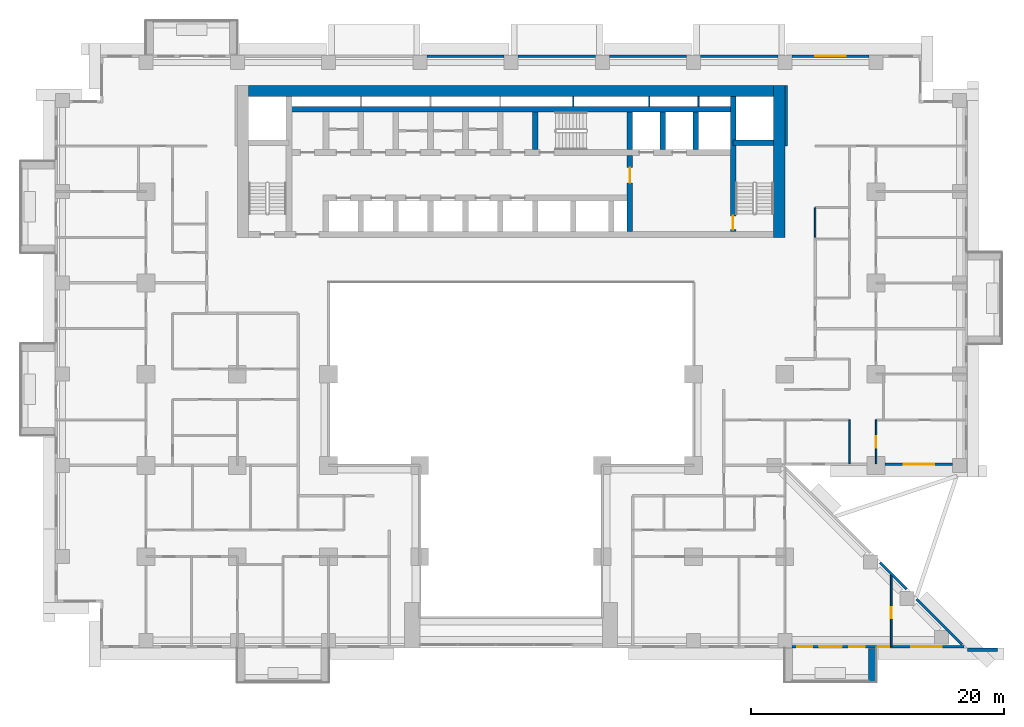
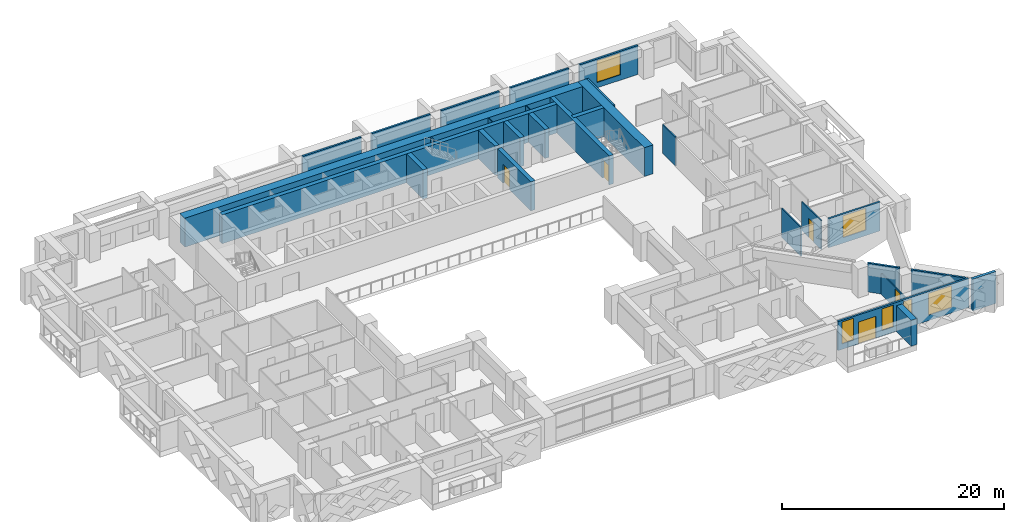
# One storey, part 11 of 17: 29 walls, 6 windows, 5 doors, 11 openings.
"""IFC4 building model written with IfcOpenShell, lengths in metres."""

from ifc_helpers import new_model, si_unit, direction, frame, frame_2d, origin, place, context, subcontext, project, spatial, rectangle, extrude, material, layer, layer_set, type_object, element, fill, save


model = new_model("IFC4")

# Units and contexts
model_context = context("Model", 3, precision=1e-05, world=origin(), true_north=direction((0.0, 1.0)))
body_context = subcontext(model_context, "Body", "Model", "MODEL_VIEW")
ifc_project = project(units=[si_unit("LENGTHUNIT", "METRE"), si_unit("AREAUNIT", "SQUARE_METRE"), si_unit("VOLUMEUNIT", "CUBIC_METRE"), si_unit("PLANEANGLEUNIT", "RADIAN"), si_unit("MASSUNIT", "GRAM", prefix="KILO")], contexts=[model_context])

# Site, building, storey
site_placement = place(None, origin())
site = spatial("IfcSite", under=ifc_project, at=site_placement, CompositionType="ELEMENT")
building_placement = place(site_placement, origin())
building = spatial("IfcBuilding", under=site, at=building_placement, Name="Saffron Iwan Residences", CompositionType="ELEMENT")
storey_placement = place(building_placement, frame((0.0, 0.0, 34.0)))
storey = spatial("IfcBuildingStorey", under=building, at=storey_placement, Name="L07", CompositionType="ELEMENT", Elevation=34.0)

# Walls
ifc_material_1 = material(Name="Concrete C50/60 white painted", Category="concrete")
ifc_layer_1 = layer(ifc_material_1, 0.60009765625)
ifc_layer_set_1 = layer_set([ifc_layer_1], Name="Concrete C50/60 white painted")
wall_type_1 = type_object("IfcWallType", Name="BALCONY FIN 600", PredefinedType="SOLIDWALL", material=ifc_layer_set_1)
wall_1_placement = place(storey_placement, frame((78.89990234375, 33.550048828125, 0.0), z_axis=(0.0, 0.0, 1.0), x_axis=(0.0, -1.0, 0.0)))
element("IfcWall", 1, at=wall_1_placement, inside=storey, type_object=wall_type_1, Name="Balcony fin L07 11-1b", PredefinedType="SOLIDWALL", context=body_context, shape_type="SweptSolid", body=[
    extrude(rectangle(XDim=2.650146484375, YDim=0.60009765625, at=frame_2d((1.3251953125, 0.0))), origin(), (0.0, 0.0, 1.0), 2.85009765625),
])
ifc_material_2 = material(Name="Concrete C40/50", Category="concrete")
ifc_layer_2 = layer(ifc_material_2, 0.199951171875)
ifc_layer_set_2 = layer_set([ifc_layer_2], Name="Concrete C40/50")
wall_type_2 = type_object("IfcWallType", Name="EXTERNAL WALL 200", PredefinedType="SOLIDWALL", material=ifc_layer_set_2)
wall_2_placement = place(storey_placement, frame((85.995849609375, 33.862548828125, 0.0), z_axis=(0.0, 0.0, 1.0), x_axis=(-0.7070827891, 0.707130772459, 0.0)))
element("IfcWall", 2, at=wall_2_placement, inside=storey, type_object=wall_type_2, Name="External wall L07 F0.0", PredefinedType="SOLIDWALL", context=body_context, shape_type="SweptSolid", body=[
    extrude(rectangle(XDim=5.088134765625, YDim=0.199951171875, at=frame_2d((2.5439453125, 0.0))), origin(), (0.0, 0.0, 1.0), 3.179931640625),
])
wall_3_placement = place(storey_placement, frame((81.620361328125, 38.23828125, 0.0), z_axis=(0.0, 0.0, 1.0), x_axis=(-0.707106781187, 0.707106781187, 0.0)))
element("IfcWall", 3, at=wall_3_placement, inside=storey, type_object=wall_type_2, Name="External wall L07 F0.1", PredefinedType="SOLIDWALL", context=body_context, shape_type="SweptSolid", body=[
    extrude(rectangle(XDim=2.97265625, YDim=0.199951171875, at=frame_2d((1.486328125, 0.0))), origin(), (0.0, 0.0, 1.0), 3.179931640625),
])

# Wall, opening, window
wall_4_placement = place(storey_placement, frame((79.89990234375, 48.10009765625, 0.0), z_axis=(0.0, 0.0, 1.0), x_axis=(1.0, 0.0, 0.0)))
wall_4 = element("IfcWall", 4, at=wall_4_placement, inside=storey, type_object=wall_type_2, Name="External wall L07 F1.1", PredefinedType="SOLIDWALL", context=body_context, shape_type="SweptSolid", body=[
    extrude(rectangle(XDim=5.35009765625, YDim=0.199951171875, at=frame_2d((2.675048828125, 0.0))), origin(), (0.0, 0.0, 1.0), 3.179931640625),
])
opening_1_placement = place(wall_4_placement, frame((1.47509765625, 0.0, 0.60009765625)))
opening_1 = element("IfcOpeningElement", 5, at=opening_1_placement, cuts=wall_4, Name="Opening W1", PredefinedType="OPENING", context=body_context, shape_type="SweptSolid", body=[
    extrude(rectangle(XDim=2.39990234375, YDim=2.39990234375, at=frame_2d((1.199951171875, 1.199951171875))), frame((0.0, 0.10986328125, 0.0), z_axis=(0.0, -1.0, 0.0), x_axis=(1.0, 0.0, 0.0)), (0.0, 0.0, 1.0), 0.219970703125),
])
ifc_material_3 = material(Name="Clear glass, laminated double glazed", Category="glass")
window_type_1 = type_object("IfcWindowType", Name="WINDOW 2400 x 2400", PartitioningType="DOUBLE_PANEL_VERTICAL", PredefinedType="WINDOW", material=ifc_material_3)
window_1_placement = place(opening_1_placement, origin())
window_1 = element("IfcWindow", 6, at=window_1_placement, inside=storey, type_object=window_type_1, Name="Window L07 F1.0", OverallHeight=2.39990234375, OverallWidth=2.39990234375, PartitioningType="DOUBLE_PANEL_VERTICAL", PredefinedType="WINDOW", context=body_context, shape_type="SweptSolid", body=[
    extrude(rectangle(XDim=2.39990234375, YDim=2.39990234375, at=frame_2d((1.199951171875, 1.199951171875))), frame((0.0, 0.030029296875, 0.0), z_axis=(0.0, -1.0, 0.0), x_axis=(1.0, 0.0, 0.0)), (0.0, 0.0, 1.0), 0.06005859375),
])
fill(opening_1, window_1)

wall_5_placement = place(storey_placement, frame((78.64990234375, 80.300048828125, 0.0), z_axis=(0.0, 0.0, 1.0), x_axis=(-1.0, 0.0, 0.0)))
wall_5 = element("IfcWall", 7, at=wall_5_placement, inside=storey, type_object=wall_type_2, Name="External wall L07 F5.1", PredefinedType="SOLIDWALL", context=body_context, shape_type="SweptSolid", body=[
    extrude(rectangle(XDim=6.099853515625, YDim=0.199951171875, at=frame_2d((3.0498046875, 0.0))), origin(), (0.0, 0.0, 1.0), 3.179931640625),
])
opening_2_placement = place(wall_5_placement, frame((1.85009765625, 0.0, 0.60009765625)))
opening_2 = element("IfcOpeningElement", 8, at=opening_2_placement, cuts=wall_5, Name="Opening W1", PredefinedType="OPENING", context=body_context, shape_type="SweptSolid", body=[
    extrude(rectangle(XDim=2.39990234375, YDim=2.39990234375, at=frame_2d((1.199951171875, 1.199951171875))), frame((0.0, 0.10986328125, 0.0), z_axis=(0.0, -1.0, 0.0), x_axis=(1.0, 0.0, 0.0)), (0.0, 0.0, 1.0), 0.219970703125),
])
window_2_placement = place(opening_2_placement, origin())
window_2 = element("IfcWindow", 9, at=window_2_placement, inside=storey, type_object=window_type_1, Name="Window L07 F5.0", OverallHeight=2.39990234375, OverallWidth=2.39990234375, PartitioningType="DOUBLE_PANEL_VERTICAL", PredefinedType="WINDOW", context=body_context, shape_type="SweptSolid", body=[
    extrude(rectangle(XDim=2.39990234375, YDim=2.39990234375, at=frame_2d((1.199951171875, 1.199951171875))), frame((0.0, 0.030029296875, 0.0), z_axis=(0.0, -1.0, 0.0), x_axis=(1.0, 0.0, 0.0)), (0.0, 0.0, 1.0), 0.06005859375),
])
fill(opening_2, window_2)

# Walls
wall_6_placement = place(storey_placement, frame((71.449951171875, 80.300048828125, 0.0), z_axis=(0.0, 0.0, 1.0), x_axis=(-1.0, 0.0, 0.0)))
element("IfcWall", 10, at=wall_6_placement, inside=storey, type_object=wall_type_2, Name="External wall L07 F5.2", PredefinedType="SOLIDWALL", context=body_context, shape_type="SweptSolid", body=[
    extrude(rectangle(XDim=6.099853515625, YDim=0.199951171875, at=frame_2d((3.0498046875, 0.0))), origin(), (0.0, 0.0, 1.0), 3.179931640625),
])
for number, where, z_axis, x_axis, name in (
    (11, (64.25, 80.300048828125, 0.0), (0.0, 0.0, 1.0), (-1.0, 0.0, 0.0), "External wall L07 F5.3"),
    (12, (57.050048828125, 80.300048828125, 0.0), (0.0, 0.0, 1.0), (-1.0, 0.0, 0.0), "External wall L07 F5.4"),
    (13, (49.85009765625, 80.300048828125, 0.0), (0.0, 0.0, 1.0), (-1.0, 0.0, 0.0), "External wall L07 F5.5"),
):
    element("IfcWall", number, at=place(storey_placement, frame(where, z_axis=z_axis, x_axis=x_axis)), inside=storey, type_object=wall_type_2, Name=name, PredefinedType="SOLIDWALL", context=body_context, shape_type="SweptSolid", body=[
        extrude(rectangle(XDim=6.10009765625, YDim=0.199951171875, at=frame_2d((3.050048828125, 0.0))), origin(), (0.0, 0.0, 1.0), 3.179931640625),
    ])

# Wall, openings, door, windows
wall_7_placement = place(storey_placement, frame((72.550048828125, 33.699951171875, 0.0), z_axis=(0.0, 0.0, 1.0), x_axis=(1.0, 0.0, 0.0)))
wall_7 = element("IfcWall", 14, at=wall_7_placement, inside=storey, type_object=wall_type_2, Name="External wall L07 F11.6", PredefinedType="SOLIDWALL", context=body_context, shape_type="SweptSolid", body=[
    extrude(rectangle(XDim=13.608642578125, YDim=0.199951171875, at=frame_2d((6.80419921875, 0.0))), origin(), (0.0, 0.0, 1.0), 3.179931640625),
])
opening_3_placement = place(wall_7_placement, frame((2.14990234375, 0.0, 0.0)))
opening_3 = element("IfcOpeningElement", 15, at=opening_3_placement, cuts=wall_7, Name="Opening BD1", PredefinedType="OPENING", context=body_context, shape_type="SweptSolid", body=[
    extrude(rectangle(XDim=1.800048828125, YDim=2.39990234375, at=frame_2d((0.89990234375, 1.199951171875))), frame((0.0, 0.10986328125, 0.0), z_axis=(0.0, -1.0, 0.0), x_axis=(1.0, 0.0, 0.0)), (0.0, 0.0, 1.0), 0.219970703125),
])
opening_4_placement = place(wall_7_placement, frame((0.425048828125, 0.0, 0.60009765625)))
opening_4 = element("IfcOpeningElement", 16, at=opening_4_placement, cuts=wall_7, Name="Opening W3", PredefinedType="OPENING", context=body_context, shape_type="SweptSolid", body=[
    extrude(rectangle(XDim=1.199951171875, YDim=2.39990234375, at=frame_2d((0.60009765625, 1.199951171875))), frame((0.0, 0.10986328125, 0.0), z_axis=(0.0, -1.0, 0.0), x_axis=(1.0, 0.0, 0.0)), (0.0, 0.0, 1.0), 0.219970703125),
])
opening_5_placement = place(wall_7_placement, frame((4.550048828125, 0.0, 0.60009765625)))
opening_5 = element("IfcOpeningElement", 17, at=opening_5_placement, cuts=wall_7, Name="Opening W3", PredefinedType="OPENING", context=body_context, shape_type="SweptSolid", body=[
    extrude(rectangle(XDim=1.199951171875, YDim=2.39990234375, at=frame_2d((0.60009765625, 1.199951171875))), frame((0.0, 0.10986328125, 0.0), z_axis=(0.0, -1.0, 0.0), x_axis=(1.0, 0.0, 0.0)), (0.0, 0.0, 1.0), 0.219970703125),
])
opening_6_placement = place(wall_7_placement, frame((6.800048828125, 0.0, 0.60009765625)))
opening_6 = element("IfcOpeningElement", 18, at=opening_6_placement, cuts=wall_7, Name="Opening W10", PredefinedType="OPENING", context=body_context, shape_type="SweptSolid", body=[
    extrude(rectangle(XDim=0.89990234375, YDim=2.39990234375, at=frame_2d((0.449951171875, 1.199951171875))), frame((0.0, 0.10986328125, 0.0), z_axis=(0.0, -1.0, 0.0), x_axis=(1.0, 0.0, 0.0)), (0.0, 0.0, 1.0), 0.219970703125),
])
opening_7_placement = place(wall_7_placement, frame((9.42919921875, 0.0, 0.60009765625)))
opening_7 = element("IfcOpeningElement", 19, at=opening_7_placement, cuts=wall_7, Name="Opening W1", PredefinedType="OPENING", context=body_context, shape_type="SweptSolid", body=[
    extrude(rectangle(XDim=2.39990234375, YDim=2.39990234375, at=frame_2d((1.199951171875, 1.199951171875))), frame((0.0, 0.10986328125, 0.0), z_axis=(0.0, -1.0, 0.0), x_axis=(1.0, 0.0, 0.0)), (0.0, 0.0, 1.0), 0.219970703125),
])
door_type_1 = type_object("IfcDoorType", Name="BALCONY DOOR 1800 x 2400", OperationType="DOUBLE_DOOR_SLIDING", PredefinedType="DOOR", material=ifc_material_3)
door_1_placement = place(opening_3_placement, origin())
door_1 = element("IfcDoor", 20, at=door_1_placement, inside=storey, type_object=door_type_1, Name="Balcony door L07 F11.0", OperationType="DOUBLE_DOOR_SLIDING", OverallHeight=2.39990234375, OverallWidth=1.800048828125, PredefinedType="DOOR", context=body_context, shape_type="SweptSolid", body=[
    extrude(rectangle(XDim=1.800048828125, YDim=2.39990234375, at=frame_2d((0.89990234375, 1.199951171875))), frame((0.0, 0.02490234375, 0.0), z_axis=(0.0, -1.0, 0.0), x_axis=(1.0, 0.0, 0.0)), (0.0, 0.0, 1.0), 0.050048828125),
])
fill(opening_3, door_1)
window_type_2 = type_object("IfcWindowType", Name="WINDOW 1200 x 2400", PartitioningType="SINGLE_PANEL", PredefinedType="WINDOW", material=ifc_material_3)
window_3_placement = place(opening_4_placement, origin())
window_3 = element("IfcWindow", 21, at=window_3_placement, inside=storey, type_object=window_type_2, Name="Window L07 F11.1", OverallHeight=2.39990234375, OverallWidth=1.199951171875, PartitioningType="SINGLE_PANEL", PredefinedType="WINDOW", context=body_context, shape_type="SweptSolid", body=[
    extrude(rectangle(XDim=1.199951171875, YDim=2.39990234375, at=frame_2d((0.60009765625, 1.199951171875))), frame((0.0, 0.030029296875, 0.0), z_axis=(0.0, -1.0, 0.0), x_axis=(1.0, 0.0, 0.0)), (0.0, 0.0, 1.0), 0.06005859375),
])
fill(opening_4, window_3)
window_4_placement = place(opening_5_placement, origin())
window_4 = element("IfcWindow", 22, at=window_4_placement, inside=storey, type_object=window_type_2, Name="Window L07 F11.2", OverallHeight=2.39990234375, OverallWidth=1.199951171875, PartitioningType="SINGLE_PANEL", PredefinedType="WINDOW", context=body_context, shape_type="SweptSolid", body=[
    extrude(rectangle(XDim=1.199951171875, YDim=2.39990234375, at=frame_2d((0.60009765625, 1.199951171875))), frame((0.0, 0.030029296875, 0.0), z_axis=(0.0, -1.0, 0.0), x_axis=(1.0, 0.0, 0.0)), (0.0, 0.0, 1.0), 0.06005859375),
])
fill(opening_5, window_4)
window_5_placement = place(opening_7_placement, origin())
window_5 = element("IfcWindow", 23, at=window_5_placement, inside=storey, type_object=window_type_1, Name="Window L07 F11.4", OverallHeight=2.39990234375, OverallWidth=2.39990234375, PartitioningType="DOUBLE_PANEL_VERTICAL", PredefinedType="WINDOW", context=body_context, shape_type="SweptSolid", body=[
    extrude(rectangle(XDim=2.39990234375, YDim=2.39990234375, at=frame_2d((1.199951171875, 1.199951171875))), frame((0.0, 0.030029296875, 0.0), z_axis=(0.0, -1.0, 0.0), x_axis=(1.0, 0.0, 0.0)), (0.0, 0.0, 1.0), 0.06005859375),
])
fill(opening_7, window_5)
window_type_3 = type_object("IfcWindowType", Name="WINDOW 900 x 2400", PartitioningType="SINGLE_PANEL", PredefinedType="WINDOW", material=ifc_material_3)
window_6_placement = place(opening_6_placement, origin())
window_6 = element("IfcWindow", 24, at=window_6_placement, inside=storey, type_object=window_type_3, Name="Window L07 F11.3", OverallHeight=2.39990234375, OverallWidth=0.89990234375, PartitioningType="SINGLE_PANEL", PredefinedType="WINDOW", context=body_context, shape_type="SweptSolid", body=[
    extrude(rectangle(XDim=0.89990234375, YDim=2.39990234375, at=frame_2d((0.449951171875, 1.199951171875))), frame((0.0, 0.030029296875, 0.0), z_axis=(0.0, -1.0, 0.0), x_axis=(1.0, 0.0, 0.0)), (0.0, 0.0, 1.0), 0.06005859375),
])
fill(opening_6, window_6)

# Walls
ifc_material_4 = material(Name="Gypsum board partition")
ifc_layer_3 = layer(ifc_material_4, 0.1201171875)
ifc_layer_set_3 = layer_set([ifc_layer_3], Name="Gypsum board partition")
wall_type_3 = type_object("IfcWallType", Name="Flat partition 120", PredefinedType="PARTITIONING", material=ifc_layer_set_3)
wall_8_placement = place(storey_placement, frame((74.39990234375, 66.02001953125, 0.0), z_axis=(0.0, 0.0, 1.0), x_axis=(0.0, 1.0, 0.0)))
element("IfcWall", 25, at=wall_8_placement, inside=storey, type_object=wall_type_3, Name="W-L07-PART-v74.4-66.02", PredefinedType="PARTITIONING", context=body_context, shape_type="SweptSolid", body=[
    extrude(rectangle(XDim=2.330078125, YDim=0.1201171875, at=frame_2d((1.1650390625, 0.0))), origin(), (0.0, 0.0, 1.0), 3.179931640625),
])
wall_9_placement = place(storey_placement, frame((77.10009765625, 48.125, 0.0), z_axis=(0.0, 0.0, 1.0), x_axis=(0.0, 1.0, 0.0)))
element("IfcWall", 26, at=wall_9_placement, inside=storey, type_object=wall_type_3, Name="W-L07-PART-v77.1-48.125", PredefinedType="PARTITIONING", context=body_context, shape_type="SweptSolid", body=[
    extrude(rectangle(XDim=3.47509765625, YDim=0.1201171875, at=frame_2d((1.737548828125, 0.0))), origin(), (0.0, 0.0, 1.0), 3.179931640625),
])

# Wall, opening, door
wall_10_placement = place(storey_placement, frame((79.199951171875, 48.125, 0.0), z_axis=(0.0, 0.0, 1.0), x_axis=(0.0, 1.0, 0.0)))
wall_10 = element("IfcWall", 27, at=wall_10_placement, inside=storey, type_object=wall_type_3, Name="W-L07-PART-v79.2-48.125", PredefinedType="PARTITIONING", context=body_context, shape_type="SweptSolid", body=[
    extrude(rectangle(XDim=3.47509765625, YDim=0.1201171875, at=frame_2d((1.737548828125, 0.0))), origin(), (0.0, 0.0, 1.0), 3.179931640625),
])
opening_8_placement = place(wall_10_placement, frame((1.28759765625, 0.0, 0.0)))
opening_8 = element("IfcOpeningElement", 28, at=opening_8_placement, cuts=wall_10, Name="Opening FD2", PredefinedType="OPENING", context=body_context, shape_type="SweptSolid", body=[
    extrude(rectangle(XDim=0.89990234375, YDim=2.10009765625, at=frame_2d((0.449951171875, 1.050048828125))), frame((0.0, 0.070068359375, 0.0), z_axis=(0.0, -1.0, 0.0), x_axis=(1.0, 0.0, 0.0)), (0.0, 0.0, 1.0), 0.14013671875),
])
ifc_material_5 = material(Name="Timber door", Category="wood")
door_type_2 = type_object("IfcDoorType", Name="Flat door 900", OperationType="NOTDEFINED", PredefinedType="DOOR", material=ifc_material_5)
door_2_placement = place(opening_8_placement, origin())
door_2 = element("IfcDoor", 29, at=door_2_placement, inside=storey, type_object=door_type_2, Name="Door L07-022", OperationType="SINGLE_SWING_LEFT", OverallHeight=2.10009765625, OverallWidth=0.89990234375, PredefinedType="DOOR", context=body_context, shape_type="SweptSolid", body=[
    extrude(rectangle(XDim=0.89990234375, YDim=2.10009765625, at=frame_2d((0.449951171875, 1.050048828125))), frame((0.0, 0.02490234375, 0.0), z_axis=(0.0, -1.0, 0.0), x_axis=(1.0, 0.0, 0.0)), (0.0, 0.0, 1.0), 0.050048828125),
])
fill(opening_8, door_2)

wall_11_placement = place(storey_placement, frame((80.39990234375, 33.72509765625, 0.0), z_axis=(0.0, 0.0, 1.0), x_axis=(0.0, 1.0, 0.0)))
wall_11 = element("IfcWall", 30, at=wall_11_placement, inside=storey, type_object=wall_type_3, Name="W-L07-PART-v80.4-33.725", PredefinedType="PARTITIONING", context=body_context, shape_type="SweptSolid", body=[
    extrude(rectangle(XDim=5.697998046875, YDim=0.1201171875, at=frame_2d((2.84912109375, 0.0))), origin(), (0.0, 0.0, 1.0), 2.280029296875),
])
opening_9_placement = place(wall_11_placement, frame((2.198974609375, 0.0, 0.0)))
opening_9 = element("IfcOpeningElement", 31, at=opening_9_placement, cuts=wall_11, Name="Opening FD2", PredefinedType="OPENING", context=body_context, shape_type="SweptSolid", body=[
    extrude(rectangle(XDim=0.89990234375, YDim=2.10009765625, at=frame_2d((0.449951171875, 1.050048828125))), frame((0.0, 0.070068359375, 0.0), z_axis=(0.0, -1.0, 0.0), x_axis=(1.0, 0.0, 0.0)), (0.0, 0.0, 1.0), 0.14013671875),
])
door_3_placement = place(opening_9_placement, origin())
door_3 = element("IfcDoor", 32, at=door_3_placement, inside=storey, type_object=door_type_2, Name="Door L07-052", OperationType="SINGLE_SWING_RIGHT", OverallHeight=2.10009765625, OverallWidth=0.89990234375, PredefinedType="DOOR", context=body_context, shape_type="SweptSolid", body=[
    extrude(rectangle(XDim=0.89990234375, YDim=2.10009765625, at=frame_2d((0.449951171875, 1.050048828125))), frame((0.0, 0.02490234375, 0.0), z_axis=(0.0, -1.0, 0.0), x_axis=(1.0, 0.0, 0.0)), (0.0, 0.0, 1.0), 0.050048828125),
])
fill(opening_9, door_3)

# Walls
ifc_material_6 = material(Name="Fire-rated gypsum board wall")
ifc_layer_4 = layer(ifc_material_6, 0.199951171875)
ifc_layer_set_4 = layer_set([ifc_layer_4], Name="Fire-rated gypsum board wall")
wall_type_4 = type_object("IfcWallType", Name="Gallery wall 200", PredefinedType="SOLIDWALL", material=ifc_layer_set_4)
wall_12_placement = place(storey_placement, frame((72.10009765625, 73.199951171875, 0.0), z_axis=(0.0, 0.0, 1.0), x_axis=(0.0, 1.0, 0.0)))
element("IfcWall", 33, at=wall_12_placement, inside=storey, type_object=wall_type_4, Name="W-L07-CORR-v72-73.2", PredefinedType="SOLIDWALL", context=body_context, shape_type="SweptSolid", body=[
    extrude(rectangle(XDim=4.800048828125, YDim=0.199951171875, at=frame_2d((2.39990234375, 0.0))), origin(), (0.0, 0.0, 1.0), 3.179931640625),
])
ifc_layer_5 = layer(ifc_material_1, 0.300048828125)
ifc_layer_set_5 = layer_set([ifc_layer_5], Name="Concrete C50/60 white painted")
wall_type_5 = type_object("IfcWallType", Name="PROW BLADE 300", PredefinedType="SOLIDWALL", material=ifc_layer_set_5)
wall_13_placement = place(storey_placement, frame((86.39990234375, 33.449951171875, -0.320068359375), z_axis=(0.0, 0.0, 1.0), x_axis=(1.0, 0.0, 0.0)))
element("IfcWall", 34, at=wall_13_placement, inside=storey, type_object=wall_type_5, Name="Prow blade L07", PredefinedType="SOLIDWALL", context=body_context, shape_type="SweptSolid", body=[
    extrude(rectangle(XDim=2.400146484375, YDim=0.300048828125, at=frame_2d((1.2001953125, 0.0))), origin(), (0.0, 0.0, 1.0), 3.5),
])
ifc_material_7 = material(Name="Fire-rated plasterboard partition")
ifc_layer_6 = layer(ifc_material_7, 0.10009765625)
ifc_layer_set_6 = layer_set([ifc_layer_6], Name="Fire-rated plasterboard partition")
wall_type_6 = type_object("IfcWallType", Name="Riser partition 100", PredefinedType="PARTITIONING", material=ifc_layer_set_6)
for number, where, z_axis, x_axis, name in (
    (35, (55.300048828125, 76.324951171875, 0.0), (0.0, 0.0, 1.0), (0.0, 1.0, 0.0), "Core partition P08"),
    (36, (61.300048828125, 76.324951171875, 0.0), (0.0, 0.0, 1.0), (0.0, 1.0, 0.0), "Core partition P09"),
    (37, (65.199951171875, 76.324951171875, 0.0), (0.0, 0.0, 1.0), (0.0, 1.0, 0.0), "Core partition P10"),
):
    element("IfcWall", number, at=place(storey_placement, frame(where, z_axis=z_axis, x_axis=x_axis)), inside=storey, type_object=wall_type_6, Name=name, PredefinedType="PARTITIONING", context=body_context, shape_type="SweptSolid", body=[
        extrude(rectangle(XDim=0.775146484375, YDim=0.10009765625, at=frame_2d((0.3876953125, 0.0))), origin(), (0.0, 0.0, 1.0), 3.179931640625),
    ])
ifc_material_8 = material(Name="Concrete C60/75", Category="concrete")
ifc_layer_7 = layer(ifc_material_8, 0.449951171875)
ifc_layer_set_7 = layer_set([ifc_layer_7], Name="Concrete C60/75")
wall_type_7 = type_object("IfcWallType", Name="WALL CORE 450 C60/75 3180 HIGH", PredefinedType="SHEAR", material=ifc_layer_set_7)
wall_14_placement = place(storey_placement, frame((32.875, 76.10009765625, 0.0), z_axis=(0.0, 0.0, 1.0), x_axis=(1.0, 0.0, 0.0)))
element("IfcWall", 38, at=wall_14_placement, inside=storey, type_object=wall_type_7, Name="Core wall", PredefinedType="SHEAR", context=body_context, shape_type="SweptSolid", body=[
    extrude(rectangle(XDim=35.050048828125, YDim=0.449951171875, at=frame_2d((17.52490234375, 0.0))), origin(), (0.0, 0.0, 1.0), 3.179931640625),
])
wall_15_placement = place(storey_placement, frame((67.925048828125, 73.47509765625, 0.0), z_axis=(0.0, 0.0, 1.0), x_axis=(1.0, 0.0, 0.0)))
element("IfcWall", 39, at=wall_15_placement, inside=storey, type_object=wall_type_7, Name="Core wall", PredefinedType="SHEAR", context=body_context, shape_type="SweptSolid", body=[
    extrude(rectangle(XDim=3.175048828125, YDim=0.449951171875, at=frame_2d((1.58740234375, 0.0))), origin(), (0.0, 0.0, 1.0), 3.179931640625),
])

# Wall, opening, door
wall_16_placement = place(storey_placement, frame((67.925048828125, 66.449951171875, 0.0), z_axis=(0.0, 0.0, 1.0), x_axis=(0.0, 1.0, 0.0)))
wall_16 = element("IfcWall", 40, at=wall_16_placement, inside=storey, type_object=wall_type_7, Name="Core wall", PredefinedType="SHEAR", context=body_context, shape_type="SweptSolid", body=[
    extrude(rectangle(XDim=10.650146484375, YDim=0.449951171875, at=frame_2d((5.3251953125, 0.0))), origin(), (0.0, 0.0, 1.0), 3.179931640625),
])
opening_10_placement = place(wall_16_placement, frame((0.14990234375, 0.0, 0.0)))
opening_10 = element("IfcOpeningElement", 41, at=opening_10_placement, cuts=wall_16, Name="Opening SD", PredefinedType="OPENING", context=body_context, shape_type="SweptSolid", body=[
    extrude(rectangle(XDim=1.10009765625, YDim=2.10009765625, at=frame_2d((0.550048828125, 1.050048828125))), frame((0.0, 0.23486328125, 0.0), z_axis=(0.0, -1.0, 0.0), x_axis=(1.0, 0.0, 0.0)), (0.0, 0.0, 1.0), 0.469970703125),
])
ifc_material_9 = material(Name="Steel fire door", Category="steel")
door_type_3 = type_object("IfcDoorType", Name="Stair door 1100", OperationType="NOTDEFINED", PredefinedType="DOOR", material=ifc_material_9)
door_4_placement = place(opening_10_placement, origin())
door_4 = element("IfcDoor", 42, at=door_4_placement, inside=storey, type_object=door_type_3, Name="Stair door ST-E", OperationType="SINGLE_SWING_LEFT", OverallHeight=2.10009765625, OverallWidth=1.10009765625, PredefinedType="DOOR", context=body_context, shape_type="SweptSolid", body=[
    extrude(rectangle(XDim=1.10009765625, YDim=2.10009765625, at=frame_2d((0.550048828125, 1.050048828125))), frame((0.0, 0.02490234375, 0.0), z_axis=(0.0, -1.0, 0.0), x_axis=(1.0, 0.0, 0.0)), (0.0, 0.0, 1.0), 0.050048828125),
])
fill(opening_10, door_4)

wall_17_placement = place(storey_placement, frame((59.77490234375, 66.449951171875, 0.0), z_axis=(0.0, 0.0, 1.0), x_axis=(0.0, 1.0, 0.0)))
wall_17 = element("IfcWall", 43, at=wall_17_placement, inside=storey, type_object=wall_type_7, Name="Core wall", PredefinedType="SHEAR", context=body_context, shape_type="SweptSolid", body=[
    extrude(rectangle(XDim=6.025146484375, YDim=0.449951171875, at=frame_2d((3.0126953125, 0.0))), origin(), (0.0, 0.0, 1.0), 3.179931640625),
])
opening_11_placement = place(wall_17_placement, frame((3.85009765625, 0.0, 0.0)))
opening_11 = element("IfcOpeningElement", 44, at=opening_11_placement, cuts=wall_17, Name="Opening FD", PredefinedType="OPENING", context=body_context, shape_type="SweptSolid", body=[
    extrude(rectangle(XDim=1.199951171875, YDim=2.10009765625, at=frame_2d((0.60009765625, 1.050048828125))), frame((0.0, 0.23486328125, 0.0), z_axis=(0.0, -1.0, 0.0), x_axis=(1.0, 0.0, 0.0)), (0.0, 0.0, 1.0), 0.469970703125),
])
door_type_4 = type_object("IfcDoorType", Name="Firefighting lobby door 1200", OperationType="NOTDEFINED", PredefinedType="DOOR", material=ifc_material_9)
door_5_placement = place(opening_11_placement, origin())
door_5 = element("IfcDoor", 45, at=door_5_placement, inside=storey, type_object=door_type_4, Name="Firefighting lobby door", OperationType="SINGLE_SWING_RIGHT", OverallHeight=2.10009765625, OverallWidth=1.199951171875, PredefinedType="DOOR", context=body_context, shape_type="SweptSolid", body=[
    extrude(rectangle(XDim=1.199951171875, YDim=2.10009765625, at=frame_2d((0.60009765625, 1.050048828125))), frame((0.0, 0.02490234375, 0.0), z_axis=(0.0, -1.0, 0.0), x_axis=(1.0, 0.0, 0.0)), (0.0, 0.0, 1.0), 0.050048828125),
])
fill(opening_11, door_5)

# Walls
for number, where, z_axis, x_axis, name in (
    (46, (59.77490234375, 72.925048828125, 0.0), (0.0, 0.0, 1.0), (0.0, 1.0, 0.0), "Core wall"),
    (47, (52.300048828125, 72.925048828125, 0.0), (0.0, 0.0, 1.0), (0.0, 1.0, 0.0), "Core wall"),
    (48, (62.375, 72.925048828125, 0.0), (0.0, 0.0, 1.0), (0.0, 1.0, 0.0), "Core wall"),
    (49, (64.97509765625, 72.925048828125, 0.0), (0.0, 0.0, 1.0), (0.0, 1.0, 0.0), "Core wall"),
):
    element("IfcWall", number, at=place(storey_placement, frame(where, z_axis=z_axis, x_axis=x_axis)), inside=storey, type_object=wall_type_7, Name=name, PredefinedType="SHEAR", context=body_context, shape_type="SweptSolid", body=[
        extrude(rectangle(XDim=2.949951171875, YDim=0.449951171875, at=frame_2d((1.47509765625, 0.0))), origin(), (0.0, 0.0, 1.0), 3.179931640625),
    ])
ifc_layer_8 = layer(ifc_material_8, 0.89990234375)
ifc_layer_set_8 = layer_set([ifc_layer_8], Name="Concrete C60/75")
wall_type_8 = type_object("IfcWallType", Name="WALL CORE 900 C60/75 3180 HIGH", PredefinedType="SHEAR", material=ifc_layer_set_8)
wall_18_placement = place(storey_placement, frame((71.550048828125, 66.0, 0.0), z_axis=(0.0, 0.0, 1.0), x_axis=(0.0, 1.0, 0.0)))
element("IfcWall", 50, at=wall_18_placement, inside=storey, type_object=wall_type_8, Name="Core wall", PredefinedType="SHEAR", context=body_context, shape_type="SweptSolid", body=[
    extrude(rectangle(XDim=12.0, YDim=0.89990234375, at=frame_2d((6.0, 0.0))), origin(), (0.0, 0.0, 1.0), 3.179931640625),
])
wall_19_placement = place(storey_placement, frame((29.699951171875, 77.550048828125, 0.0), z_axis=(0.0, 0.0, 1.0), x_axis=(1.0, 0.0, 0.0)))
element("IfcWall", 51, at=wall_19_placement, inside=storey, type_object=wall_type_8, Name="Core wall", PredefinedType="SHEAR", context=body_context, shape_type="SweptSolid", body=[
    extrude(rectangle(XDim=41.400146484375, YDim=0.89990234375, at=frame_2d((20.7001953125, 0.0))), origin(), (0.0, 0.0, 1.0), 3.179931640625),
])

save(model, "model.ifc")
